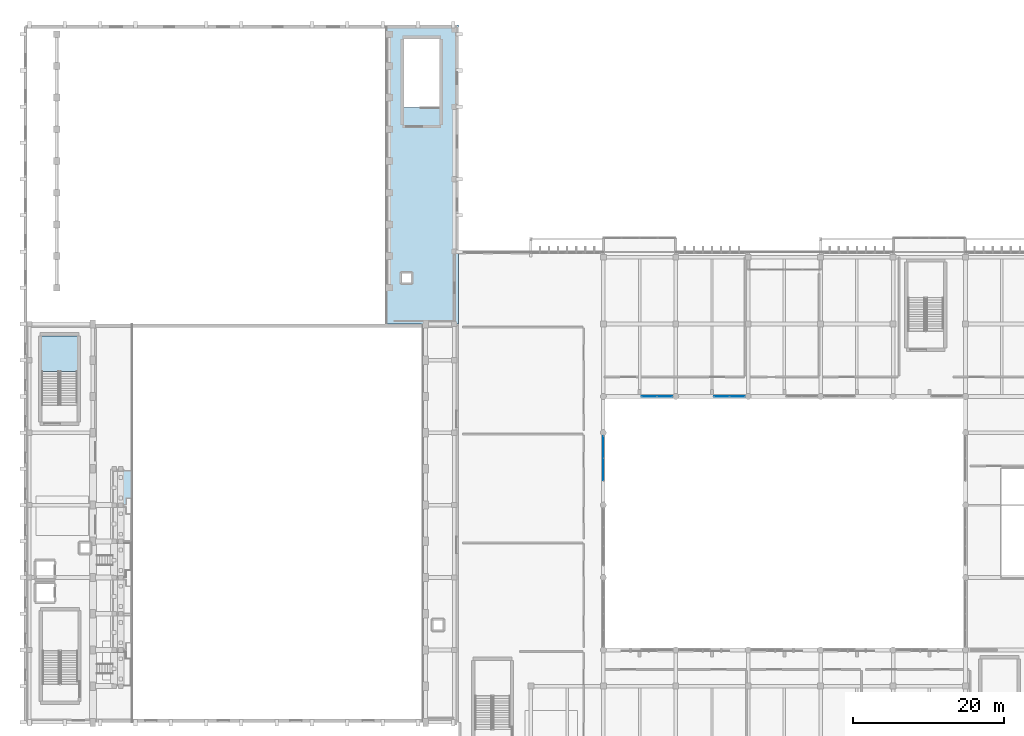
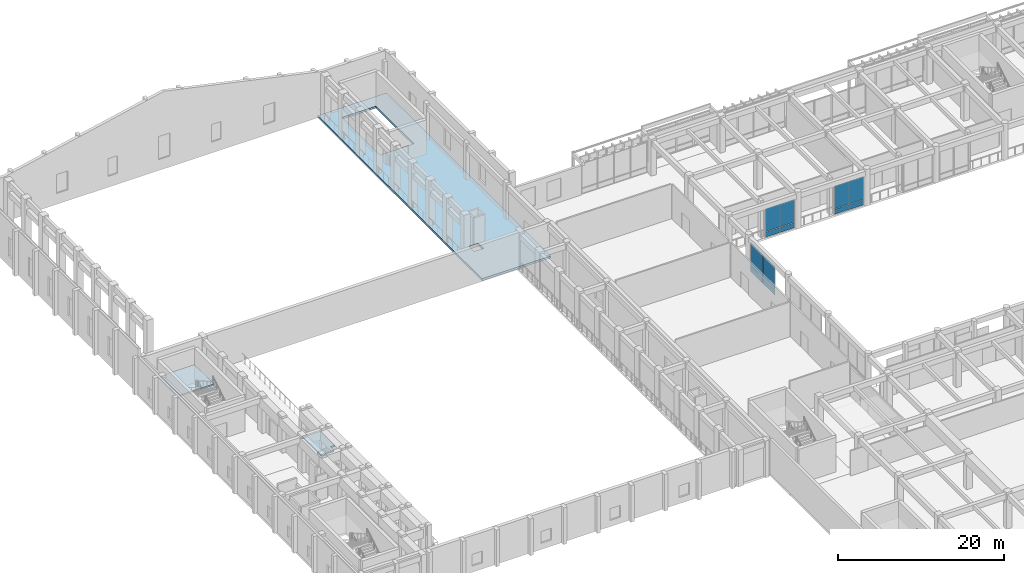
# One storey, part 93 of 134: 12 plates, 3 slabs, 4 elements without a shape of their own.
"""IFC4 building model written with IfcOpenShell, lengths in metres."""

from ifc_helpers import new_model, si_unit, direction, frame, origin, origin_2d, place, context, subcontext, project, spatial, polyline, rectangle, outline, extrude, material, layer, layer_set, type_object, element, aggregate, save


model = new_model("IFC4")

# Units and contexts
model_context = context("Model", 3, precision=1e-05, world=origin(), true_north=direction((0.0, 1.0)))
body_context = subcontext(model_context, "Body", "Model", "MODEL_VIEW")
ifc_project = project(units=[si_unit("LENGTHUNIT", "METRE"), si_unit("AREAUNIT", "SQUARE_METRE"), si_unit("VOLUMEUNIT", "CUBIC_METRE"), si_unit("PLANEANGLEUNIT", "RADIAN"), si_unit("MASSUNIT", "GRAM", prefix="KILO")], contexts=[model_context])

# Site, building, storey
site_placement = place(None, origin())
site = spatial("IfcSite", under=ifc_project, at=site_placement, CompositionType="ELEMENT")
building_placement = place(site_placement, origin())
building = spatial("IfcBuilding", under=site, at=building_placement, Name="Nakhvara Creek Congress Hotel", CompositionType="ELEMENT")
storey_placement = place(building_placement, frame((0.0, 0.0, 6.0)))
storey = spatial("IfcBuildingStorey", under=building, at=storey_placement, Name="L01", CompositionType="ELEMENT", Elevation=6.0)

# Curtain wall, plates
ifc_material_1 = material(Name="Bronze-anodised aluminium AW-6063-T6 and double-silver low-E glass", Category="aluminium")
ifc_layer_1 = layer(ifc_material_1, 0.199951171875)
ifc_layer_set_1 = layer_set([ifc_layer_1], Name="Bronze-anodised aluminium AW-6063-T6 and double-silver low-E glass")
curtain_wall_type = type_object("IfcCurtainWallType", Name="CW-POD-STICK", PredefinedType="NOTDEFINED", material=ifc_layer_set_1)
curtain_wall_1_placement = place(storey_placement, origin())
curtain_wall_1 = element("IfcCurtainWall", 1, at=curtain_wall_1_placement, inside=storey, type_object=curtain_wall_type, Name="Curtain Wall CW018", PredefinedType="NOTDEFINED")
ifc_material_2 = material(Name="Double-silver solar-control low-E insulated glass", Category="glass")
plate_type = type_object("IfcPlateType", Name="PNL-GLZ-240X260", PredefinedType="CURTAIN_PANEL", material=ifc_material_2)
plate_1_placement = place(storey_placement, frame((84.9326171875, 76.800048828125, 0.06494140625), z_axis=(0.0, 0.0, 1.0), x_axis=(-1.0, 0.0, 0.0)))
plate_1 = element("IfcPlate", 2, at=plate_1_placement, type_object=plate_type, Name="CW018 panel 1.1", PredefinedType="CURTAIN_PANEL", context=body_context, shape_type="SweptSolid", body=[
    extrude(rectangle(XDim=1.97509765625, YDim=0.030029296875, at=origin_2d()), origin(), (0.0, 0.0, 1.0), 0.75244140625),
])
plate_2_placement = place(storey_placement, frame((84.9326171875, 76.800048828125, 0.88232421875), z_axis=(0.0, 0.0, 1.0), x_axis=(-1.0, 0.0, 0.0)))
plate_2 = element("IfcPlate", 3, at=plate_2_placement, type_object=plate_type, Name="CW018 panel 1.2", PredefinedType="CURTAIN_PANEL", context=body_context, shape_type="SweptSolid", body=[
    extrude(rectangle(XDim=1.97509765625, YDim=0.030029296875, at=origin_2d()), origin(), (0.0, 0.0, 1.0), 3.364501953125),
])
plate_3_placement = place(storey_placement, frame((82.892578125, 76.800048828125, 0.06494140625), z_axis=(0.0, 0.0, 1.0), x_axis=(-1.0, 0.0, 0.0)))
plate_3 = element("IfcPlate", 4, at=plate_3_placement, type_object=plate_type, Name="CW018 panel 2.1", PredefinedType="CURTAIN_PANEL", context=body_context, shape_type="SweptSolid", body=[
    extrude(rectangle(XDim=1.97509765625, YDim=0.030029296875, at=origin_2d()), origin(), (0.0, 0.0, 1.0), 0.75244140625),
])
plate_4_placement = place(storey_placement, frame((82.892578125, 76.800048828125, 0.88232421875), z_axis=(0.0, 0.0, 1.0), x_axis=(-1.0, 0.0, 0.0)))
plate_4 = element("IfcPlate", 5, at=plate_4_placement, type_object=plate_type, Name="CW018 panel 2.2", PredefinedType="CURTAIN_PANEL", context=body_context, shape_type="SweptSolid", body=[
    extrude(rectangle(XDim=1.97509765625, YDim=0.030029296875, at=origin_2d()), origin(), (0.0, 0.0, 1.0), 3.364501953125),
])
aggregate(curtain_wall_1, [plate_1, plate_2, plate_3, plate_4])

curtain_wall_2_placement = place(storey_placement, origin())
curtain_wall_2 = element("IfcCurtainWall", 6, at=curtain_wall_2_placement, inside=storey, type_object=curtain_wall_type, Name="Curtain Wall CW020", PredefinedType="NOTDEFINED")
plate_5_placement = place(storey_placement, frame((94.532470703125, 76.800048828125, 0.06494140625), z_axis=(0.0, 0.0, 1.0), x_axis=(-1.0, 0.0, 0.0)))
plate_5 = element("IfcPlate", 7, at=plate_5_placement, type_object=plate_type, Name="CW020 panel 1.1", PredefinedType="CURTAIN_PANEL", context=body_context, shape_type="SweptSolid", body=[
    extrude(rectangle(XDim=1.97509765625, YDim=0.030029296875, at=origin_2d()), origin(), (0.0, 0.0, 1.0), 0.75244140625),
])
plate_6_placement = place(storey_placement, frame((94.532470703125, 76.800048828125, 0.88232421875), z_axis=(0.0, 0.0, 1.0), x_axis=(-1.0, 0.0, 0.0)))
plate_6 = element("IfcPlate", 8, at=plate_6_placement, type_object=plate_type, Name="CW020 panel 1.2", PredefinedType="CURTAIN_PANEL", context=body_context, shape_type="SweptSolid", body=[
    extrude(rectangle(XDim=1.97509765625, YDim=0.030029296875, at=origin_2d()), origin(), (0.0, 0.0, 1.0), 3.364501953125),
])
plate_7_placement = place(storey_placement, frame((92.492431640625, 76.800048828125, 0.06494140625), z_axis=(0.0, 0.0, 1.0), x_axis=(-1.0, 0.0, 0.0)))
plate_7 = element("IfcPlate", 9, at=plate_7_placement, type_object=plate_type, Name="CW020 panel 2.1", PredefinedType="CURTAIN_PANEL", context=body_context, shape_type="SweptSolid", body=[
    extrude(rectangle(XDim=1.97509765625, YDim=0.030029296875, at=origin_2d()), origin(), (0.0, 0.0, 1.0), 0.75244140625),
])
plate_8_placement = place(storey_placement, frame((92.492431640625, 76.800048828125, 0.88232421875), z_axis=(0.0, 0.0, 1.0), x_axis=(-1.0, 0.0, 0.0)))
plate_8 = element("IfcPlate", 10, at=plate_8_placement, type_object=plate_type, Name="CW020 panel 2.2", PredefinedType="CURTAIN_PANEL", context=body_context, shape_type="SweptSolid", body=[
    extrude(rectangle(XDim=1.97509765625, YDim=0.030029296875, at=origin_2d()), origin(), (0.0, 0.0, 1.0), 3.364501953125),
])
aggregate(curtain_wall_2, [plate_5, plate_6, plate_7, plate_8])

curtain_wall_3_placement = place(storey_placement, origin())
curtain_wall_3 = element("IfcCurtainWall", 11, at=curtain_wall_3_placement, inside=storey, type_object=curtain_wall_type, Name="Curtain Wall CW031", PredefinedType="NOTDEFINED")
plate_9_placement = place(storey_placement, frame((76.800048828125, 70.072509765625, 0.06494140625), z_axis=(0.0, 0.0, 1.0), x_axis=(0.0, -1.0, 0.0)))
plate_9 = element("IfcPlate", 12, at=plate_9_placement, type_object=plate_type, Name="CW031 panel 1.1", PredefinedType="CURTAIN_PANEL", context=body_context, shape_type="SweptSolid", body=[
    extrude(rectangle(XDim=2.89501953125, YDim=0.030029296875, at=origin_2d()), origin(), (0.0, 0.0, 1.0), 0.75244140625),
])
plate_10_placement = place(storey_placement, frame((76.800048828125, 70.072509765625, 0.88232421875), z_axis=(0.0, 0.0, 1.0), x_axis=(0.0, -1.0, 0.0)))
plate_10 = element("IfcPlate", 13, at=plate_10_placement, type_object=plate_type, Name="CW031 panel 1.2", PredefinedType="CURTAIN_PANEL", context=body_context, shape_type="SweptSolid", body=[
    extrude(rectangle(XDim=2.89501953125, YDim=0.030029296875, at=origin_2d()), origin(), (0.0, 0.0, 1.0), 3.364501953125),
])
plate_11_placement = place(storey_placement, frame((76.800048828125, 67.112548828125, 0.06494140625), z_axis=(0.0, 0.0, 1.0), x_axis=(0.0, -1.0, 0.0)))
plate_11 = element("IfcPlate", 14, at=plate_11_placement, type_object=plate_type, Name="CW031 panel 2.1", PredefinedType="CURTAIN_PANEL", context=body_context, shape_type="SweptSolid", body=[
    extrude(rectangle(XDim=2.89501953125, YDim=0.030029296875, at=origin_2d()), origin(), (0.0, 0.0, 1.0), 0.75244140625),
])
plate_12_placement = place(storey_placement, frame((76.800048828125, 67.112548828125, 0.88232421875), z_axis=(0.0, 0.0, 1.0), x_axis=(0.0, -1.0, 0.0)))
plate_12 = element("IfcPlate", 15, at=plate_12_placement, type_object=plate_type, Name="CW031 panel 2.2", PredefinedType="CURTAIN_PANEL", context=body_context, shape_type="SweptSolid", body=[
    extrude(rectangle(XDim=2.89501953125, YDim=0.030029296875, at=origin_2d()), origin(), (0.0, 0.0, 1.0), 3.364501953125),
])
aggregate(curtain_wall_3, [plate_9, plate_10, plate_11, plate_12])

# Slab
ifc_material_3 = material(Name="Concrete C40/50", Category="concrete")
ifc_layer_2 = layer(ifc_material_3, 0.300048828125)
ifc_layer_set_2 = layer_set([ifc_layer_2], Name="Concrete C40/50")
slab_type_1 = type_object("IfcSlabType", Name="SL-FLR-300", PredefinedType="FLOOR", material=ifc_layer_set_2)
slab_1_placement = place(storey_placement, frame((0.0, 0.0, -0.300048828125)))
element("IfcSlab", 16, at=slab_1_placement, inside=storey, type_object=slab_type_1, Name="Structural Slab SLB-L01-V2E", PredefinedType="FLOOR", context=body_context, shape_type="SweptSolid", body=[
    extrude(outline(polyline([(48.0, 126.0), (57.60009765625, 126.0), (57.60009765625, 86.39990234375), (48.0, 86.39990234375), (48.0, 126.0)]), holes=[polyline([(50.050048828125, 93.14990234375), (50.050048828125, 91.85009765625), (51.35009765625, 91.85009765625), (51.35009765625, 93.14990234375), (50.050048828125, 93.14990234375)]), polyline([(50.3701171875, 115.080078125), (55.080078125, 115.080078125), (55.080078125, 124.199951171875), (50.3701171875, 124.199951171875), (50.3701171875, 115.080078125)])]), origin(), (0.0, 0.0, 1.0), 0.300048828125),
])

# Stair, slab
stair_type = type_object("IfcStairType", Name="ST-CORE-230", PredefinedType="HALF_TURN_STAIR", material=ifc_material_3)
stair_placement = place(storey_placement, origin())
stair = element("IfcStair", 17, at=stair_placement, inside=storey, type_object=stair_type, Name="L01 Protected Exit Stair ST07", PredefinedType="HALF_TURN_STAIR")
ifc_layer_3 = layer(ifc_material_3, 0.199951171875)
ifc_layer_set_3 = layer_set([ifc_layer_3], Name="Concrete C40/50")
slab_type_2 = type_object("IfcSlabType", Name="SL-LAND-200", PredefinedType="LANDING", material=ifc_layer_set_3)
slab_2_placement = place(storey_placement, frame((0.0, 0.0, 2.5)))
slab_2 = element("IfcSlab", 18, at=slab_2_placement, type_object=slab_type_2, Name="ST07 landing 1", PredefinedType="LANDING", context=body_context, shape_type="SweptSolid", body=[
    extrude(outline(polyline([(7.080078125, 80.090087890625), (7.080078125, 84.800048828125), (2.3701171875, 84.800048828125), (2.3701171875, 80.090087890625), (7.080078125, 80.090087890625)])), origin(), (0.0, 0.0, 1.0), 0.199951171875),
])
aggregate(stair, [slab_2])

# Slab
ifc_material_4 = material(Name="Precast concrete C40/50", Category="concrete")
ifc_layer_4 = layer(ifc_material_4, 0.18994140625)
ifc_layer_set_4 = layer_set([ifc_layer_4], Name="Precast concrete C40/50")
slab_type_3 = type_object("IfcSlabType", Name="SL-TIER-190", PredefinedType="USERDEFINED", material=ifc_layer_set_4)
slab_3_placement = place(storey_placement, frame((0.0, 0.0, 1.159912109375)))
element("IfcSlab", 19, at=slab_3_placement, inside=storey, type_object=slab_type_3, Name="Stand Dress Circle Bay 6", ObjectType="SEATING TIER", PredefinedType="USERDEFINED", context=body_context, shape_type="SweptSolid", body=[
    extrude(outline(polyline([(11.75, 62.39990234375), (13.590087890625, 62.39990234375), (13.590087890625, 63.300048828125), (14.239990234375, 63.300048828125), (14.239990234375, 67.0), (11.75, 67.0), (11.75, 62.39990234375)])), origin(), (0.0, 0.0, 1.0), 0.190185546875),
])

save(model, "model.ifc")
